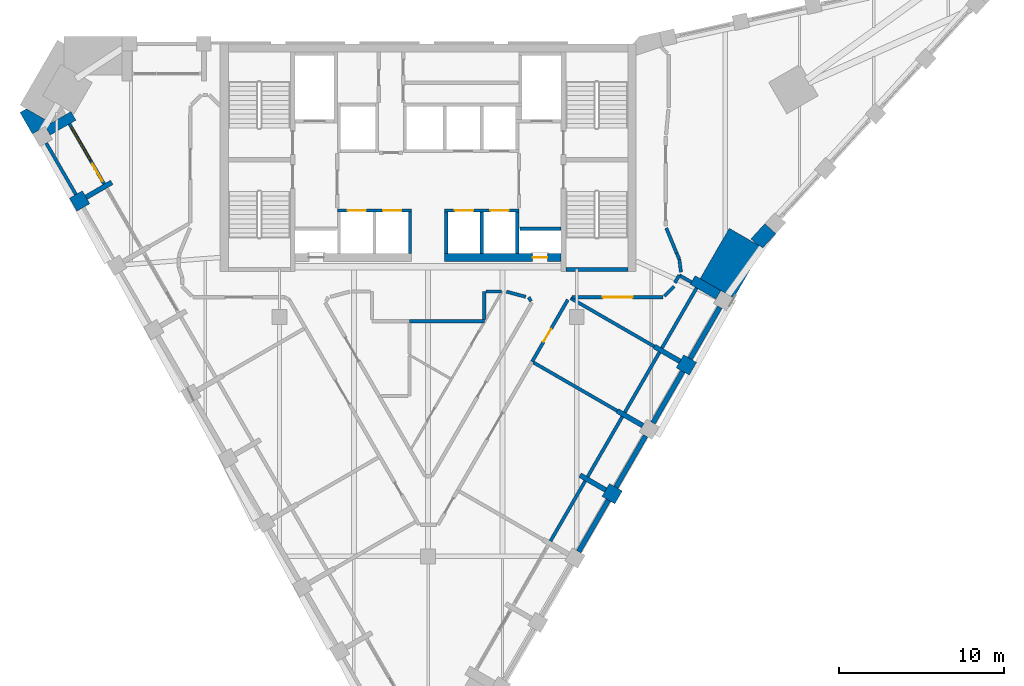
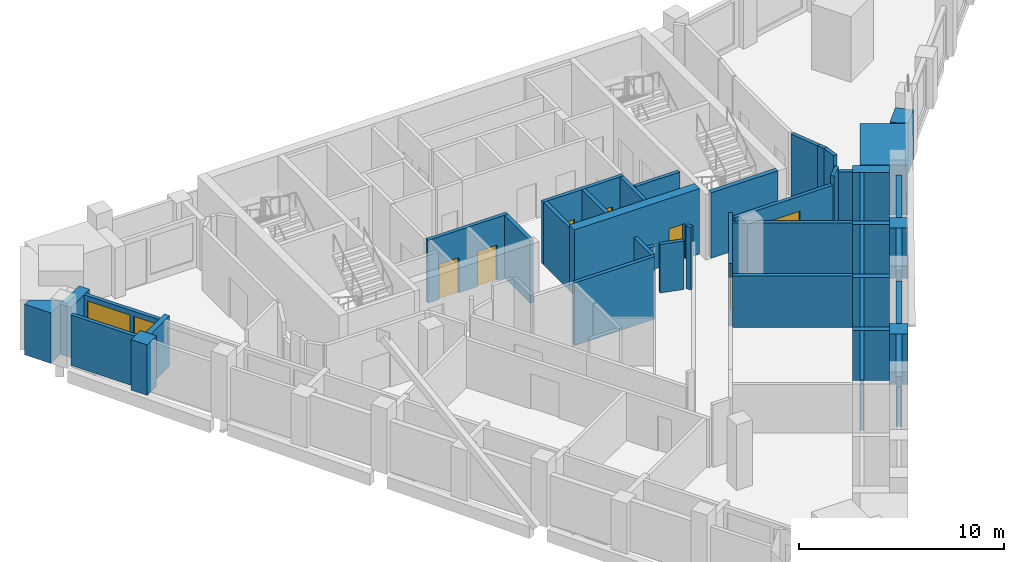
# One storey, part 4 of 8: 46 walls, 8 doors, 1 window, 9 openings.
"""IFC4 building model written with IfcOpenShell, lengths in metres."""

import ifcopenshell
import ifcopenshell.guid

model = None  # the IFC model being written
_history = None  # IfcOwnerHistory: only IFC2X3 demands one
_inside = {}  # id of a spatial element -> (the spatial element, [elements in it])
_under = {}  # id of a project, library or spatial element -> (it, [spatial elements below it])
_declared = {}  # id of a project -> (the project, [libraries it declares])
_typed = {}  # id of a type object -> (the type object, [elements of that type])
_made_of = {}  # id of a material, layer set ... -> (it, [elements and type objects made of it])


def new_model(schema):
    """Start an empty IFC model of exactly this schema.

    Asked for "IFC4X3", IfcOpenShell would pick the latest addendum, in which some entities
    have other attributes; the version numbers below select the first issue.
    IFC2X3 requires an IfcOwnerHistory on every rooted entity: one is made here for all.
    """
    global model, _history
    if schema == "IFC4X3":
        model = ifcopenshell.file(schema_version=(4, 3, 0, 0))
    else:
        model = ifcopenshell.file(schema=schema)
    _inside.clear()
    _under.clear()
    _declared.clear()
    _typed.clear()
    _made_of.clear()
    _history = None
    if model.schema == "IFC2X3":
        org = make("IfcOrganization", Name="unknown")
        user = make(
            "IfcPersonAndOrganization",
            ThePerson=make("IfcPerson", FamilyName="unknown"),
            TheOrganization=org,
        )
        app = make(
            "IfcApplication",
            ApplicationDeveloper=org,
            Version="unknown",
            ApplicationFullName="unknown",
            ApplicationIdentifier="unknown",
        )
        _history = make(
            "IfcOwnerHistory",
            OwningUser=user,
            OwningApplication=app,
            ChangeAction="ADDED",
            CreationDate=0,
        )
    return model


def make(cls, **values):
    """One entity of the class cls with the attributes given. An attribute that is None is left unset."""
    return model.create_entity(
        cls, **{name: value for name, value in values.items() if value is not None}
    )


def rooted(cls, **values):
    """An entity with a GlobalId (a new one), such as an element, a storey or a relation."""
    return make(cls, GlobalId=ifcopenshell.guid.new(), OwnerHistory=_history, **values)


def si_unit(unit_type, name, prefix=None):
    """IfcSIUnit, for example si_unit("LENGTHUNIT", "METRE", prefix="MILLI")."""
    return make("IfcSIUnit", UnitType=unit_type, Prefix=prefix, Name=name)


def assignment(units):
    """IfcUnitAssignment: the units of a project."""
    return None if units is None else make("IfcUnitAssignment", Units=units)


def point(xyz):
    """IfcCartesianPoint."""
    return None if xyz is None else make("IfcCartesianPoint", Coordinates=xyz)


def direction(xyz):
    """IfcDirection."""
    return None if xyz is None else make("IfcDirection", DirectionRatios=xyz)


def frame(location, z_axis=None, x_axis=None):
    """IfcAxis2Placement3D, a coordinate frame: its origin and axes. An axis left out is left unset."""
    return make(
        "IfcAxis2Placement3D",
        Location=point(location),
        Axis=direction(z_axis),
        RefDirection=direction(x_axis),
    )


def frame_2d(location, x_axis=None):
    """IfcAxis2Placement2D, a coordinate frame in the plane: its origin and x axis."""
    return make(
        "IfcAxis2Placement2D", Location=point(location), RefDirection=direction(x_axis)
    )


def origin():
    """The frame at (0, 0, 0) with its axes left unset."""
    return frame((0.0, 0.0, 0.0))


def place(relative_to, where):
    """IfcLocalPlacement: puts the frame where relative to a parent placement (None: the world)."""
    return make(
        "IfcLocalPlacement", PlacementRelTo=relative_to, RelativePlacement=where
    )


def context(
    kind, dimensions, precision=None, world=None, true_north=None, identifier=None
):
    """IfcGeometricRepresentationContext, for example the 3D "Model" context."""
    return make(
        "IfcGeometricRepresentationContext",
        ContextIdentifier=identifier,
        ContextType=kind,
        CoordinateSpaceDimension=dimensions,
        Precision=precision,
        WorldCoordinateSystem=world,
        TrueNorth=true_north,
    )


def subcontext(parent, identifier, kind, view, scale=None):
    """IfcGeometricRepresentationSubContext, for example "Body" below "Model"."""
    return make(
        "IfcGeometricRepresentationSubContext",
        ContextIdentifier=identifier,
        ContextType=kind,
        ParentContext=parent,
        TargetScale=scale,
        TargetView=view,
    )


def project(units=None, contexts=None):
    """IfcProject with its units and contexts."""
    return rooted(
        "IfcProject",
        Name="project",
        RepresentationContexts=contexts,
        UnitsInContext=assignment(units),
    )


def spatial(cls, under=None, at=None, **own):
    """A site, building, storey or space (cls), placed at a placement, below another one or the project."""
    s = rooted(cls, ObjectPlacement=at, **own)
    if under is not None:
        _under.setdefault(under.id(), (under, []))[1].append(s)
    return s


def polyline(points):
    """IfcPolyline through the points."""
    return make("IfcPolyline", Points=[point(p) for p in points])


def profile(cls, at=None, kind="AREA", **sizes):
    """A parametric profile (cls). Its sizes go by their IFC names, for example OverallWidth=200.0."""
    return make(cls, ProfileType=kind, Position=at, **sizes)


def rectangle(**sizes):
    """IfcRectangleProfileDef."""
    return profile("IfcRectangleProfileDef", **sizes)


def outline(outer, holes=None, kind="AREA"):
    """IfcArbitraryClosedProfileDef: a profile drawn as a closed curve; with holes, ...WithVoids."""
    if holes is None:
        return make("IfcArbitraryClosedProfileDef", ProfileType=kind, OuterCurve=outer)
    return make(
        "IfcArbitraryProfileDefWithVoids",
        ProfileType=kind,
        OuterCurve=outer,
        InnerCurves=holes,
    )


def extrude(swept, where, along, depth):
    """IfcExtrudedAreaSolid: the profile swept, set in the frame where, extruded along a direction by depth."""
    return make(
        "IfcExtrudedAreaSolid",
        SweptArea=swept,
        Position=where,
        ExtrudedDirection=direction(along),
        Depth=depth,
    )


def shape(context_of_items, identifier, shape_type, items):
    """IfcShapeRepresentation: the items that make up one representation, for example the "Body"."""
    return make(
        "IfcShapeRepresentation",
        ContextOfItems=context_of_items,
        RepresentationIdentifier=identifier,
        RepresentationType=shape_type,
        Items=items,
    )


def material(Name=None, Category=None):
    """IfcMaterial."""
    return make("IfcMaterial", Name=Name, Category=Category)


def layer(
    of_material, thickness, ventilated=None, Name=None, Category=None, Priority=None
):
    """IfcMaterialLayer: one layer of a wall or slab, of a material (None: an air gap)."""
    return make(
        "IfcMaterialLayer",
        Material=of_material,
        LayerThickness=thickness,
        IsVentilated=ventilated,
        Name=Name,
        Category=Category,
        Priority=Priority,
    )


def layer_set(layers, Name=None):
    """IfcMaterialLayerSet."""
    return make("IfcMaterialLayerSet", MaterialLayers=layers, LayerSetName=Name)


def made_of(thing, what):
    """Note that an element or type object is made of a material, layer set ...; save() writes the relation."""
    if what is not None:
        _made_of.setdefault(what.id(), (what, []))[1].append(thing)
    return thing


def type_object(cls, material=None, **own):
    """A type object (cls), such as IfcWallType, which elements share."""
    return made_of(rooted(cls, **own), material)


def element(
    cls,
    number,
    at=None,
    inside=None,
    cuts=None,
    type_object=None,
    material=None,
    context=None,
    identifier="Body",
    shape_type=None,
    held_by="IfcProductDefinitionShape",
    body=None,
    shapes=None,
    **own,
):
    """One element of the class cls, such as IfcWall. Its Tag is "e" and its number.

    at: its placement. inside: the storey or other place that contains it. cuts: it is an
    opening in that element (IfcRelVoidsElement). A single representation is given by context,
    identifier, shape_type and body (its items); several are given by shapes. held_by: the class
    of the entity that holds the representations. save() writes the other relations.
    """
    e = rooted(cls, Tag="e%d" % number, ObjectPlacement=at, **own)
    if body is not None:
        shapes = [shape(context, identifier, shape_type, body)]
    if shapes is not None:
        e.Representation = make(held_by, Representations=shapes)
    if inside is not None:
        _inside.setdefault(inside.id(), (inside, []))[1].append(e)
    if cuts is not None:
        rooted(
            "IfcRelVoidsElement", RelatingBuildingElement=cuts, RelatedOpeningElement=e
        )
    if type_object is not None:
        _typed.setdefault(type_object.id(), (type_object, []))[1].append(e)
    return made_of(e, material)


def fill(opening, filler):
    """IfcRelFillsElement: the door or window that sits in an opening."""
    return rooted(
        "IfcRelFillsElement",
        RelatingOpeningElement=opening,
        RelatedBuildingElement=filler,
    )


def aggregate(whole, parts):
    """IfcRelAggregates: a whole, such as a stair, and the parts it consists of."""
    return rooted("IfcRelAggregates", RelatingObject=whole, RelatedObjects=parts)


def save(model, path):
    """Write the relations noted so far, then the file.

    IfcRelAggregates (storeys below a building ...), IfcRelContainedInSpatialStructure (elements
    in a storey), IfcRelDefinesByType, IfcRelAssociatesMaterial and IfcRelDeclares: one each for
    every whole, place, type object, material and project.
    """
    for whole, parts in _under.values():
        aggregate(whole, parts)
    for where, things in _inside.values():
        rooted(
            "IfcRelContainedInSpatialStructure",
            RelatedElements=things,
            RelatingStructure=where,
        )
    for kind, things in _typed.values():
        rooted("IfcRelDefinesByType", RelatedObjects=things, RelatingType=kind)
    for what, things in _made_of.values():
        rooted("IfcRelAssociatesMaterial", RelatedObjects=things, RelatingMaterial=what)
    for by, libraries in _declared.values():
        rooted("IfcRelDeclares", RelatingContext=by, RelatedDefinitions=libraries)
    model.write(path)


model = new_model("IFC4")

# Units and contexts
model_context = context("Model", 3, precision=1e-05, world=origin(), true_north=direction((0.0, 1.0)))
body_context = subcontext(model_context, "Body", "Model", "MODEL_VIEW")
ifc_project = project(units=[si_unit("LENGTHUNIT", "METRE"), si_unit("AREAUNIT", "SQUARE_METRE"), si_unit("VOLUMEUNIT", "CUBIC_METRE"), si_unit("PLANEANGLEUNIT", "RADIAN"), si_unit("MASSUNIT", "GRAM", prefix="KILO")], contexts=[model_context])

# Site, building, storey
site_placement = place(None, origin())
site = spatial("IfcSite", under=ifc_project, at=site_placement, CompositionType="ELEMENT")
building_placement = place(site_placement, origin())
building = spatial("IfcBuilding", under=site, at=building_placement, Name="Calabash Gate Tower", CompositionType="ELEMENT")
storey_placement = place(building_placement, frame((0.0, 0.0, 263.800048828125)))
storey = spatial("IfcBuildingStorey", under=building, at=storey_placement, Name="L63", CompositionType="ELEMENT", Elevation=263.800048828125)

# Walls
ifc_material_1 = material(Name="Terracotta brick masonry, exposed face", Category="masonry")
ifc_layer_1 = layer(ifc_material_1, 2.35009765625)
ifc_layer_set_1 = layer_set([ifc_layer_1], Name="Brick corner mass wall 2350")
wall_type_1 = type_object("IfcWallType", Name="Brick corner mass wall 2350", PredefinedType="SOLIDWALL", material=ifc_layer_set_1)
wall_1_placement = place(storey_placement, origin())
element("IfcWall", 1, at=wall_1_placement, inside=storey, type_object=wall_type_1, Name="Brick corner pier S18 2", PredefinedType="SOLIDWALL", context=body_context, shape_type="SweptSolid", body=[
    extrude(outline(polyline([(18.236083984375, 7.878173828125), (16.47607421875, 4.829833984375), (18.51123046875, 3.65478515625), (20.271240234375, 6.703125), (18.236083984375, 7.878173828125)])), origin(), (0.0, 0.0, 1.0), 2.973388671875),
])
wall_2_placement = place(storey_placement, origin())
element("IfcWall", 2, at=wall_2_placement, inside=storey, type_object=wall_type_1, Name="Brick corner pier S18 3ca", PredefinedType="SOLIDWALL", context=body_context, shape_type="SweptSolid", body=[
    extrude(outline(polyline([(-23.974609375, 13.59375), (-23.1953125, 14.043701171875), (-23.195068359375, 14.043212890625), (-22.836669921875, 14.250244140625), (-24.33251953125, 15.11376953125), (-24.72216796875, 14.888916015625), (-23.974609375, 13.59375)])), origin(), (0.0, 0.0, 1.0), 3.0),
])
ifc_material_2 = material(Name="Terracotta brick masonry, exposed face", Category="masonry")
ifc_layer_2 = layer(ifc_material_2, 0.89990234375)
ifc_layer_set_2 = layer_set([ifc_layer_2], Name="Brick end wall 900")
wall_type_2 = type_object("IfcWallType", Name="Brick end wall 900", PredefinedType="SOLIDWALL", material=ifc_layer_set_2)
for number, where, z_axis, x_axis, name in (
    (3, (-21.33447265625, 9.921142578125, 0.0), (0.0, 0.0, 1.0), (0.50001992892, -0.866013897511, 0.0), "Brick pier S18 SW0.1"),
    (4, (10.92138671875, -8.5908203125, 0.0), (0.0, 0.0, 1.0), (0.500223362819, 0.865896406789, 0.0), "Brick pier S18 SE2.3"),
    (5, (15.2568359375, -0.181884765625, 0.0), (0.0, 0.0, 1.0), (0.865896406789, -0.500223362819, 0.0), "Brick pier S18 SE2.5"),
):
    element("IfcWall", number, at=place(storey_placement, frame(where, z_axis=z_axis, x_axis=x_axis)), inside=storey, type_object=wall_type_2, Name=name, PredefinedType="SOLIDWALL", context=body_context, shape_type="SweptSolid", body=[
        extrude(rectangle(XDim=0.89990234375, YDim=0.89990234375, at=frame_2d((0.449951171875, 0.0))), origin(), (0.0, 0.0, 1.0), 3.0),
    ])
wall_3_placement = place(storey_placement, origin())
element("IfcWall", 6, at=wall_3_placement, inside=storey, type_object=wall_type_2, Name="Brick end wall S18 1", PredefinedType="SOLIDWALL", context=body_context, shape_type="SweptSolid", body=[
    extrude(outline(polyline([(20.394775390625, 8.15625), (19.54931640625, 7.23193359375), (19.88134765625, 6.92822265625), (20.271240234375, 6.703125), (20.24658203125, 6.66064453125), (21.058837890625, 7.548828125), (20.394775390625, 8.15625)])), origin(), (0.0, 0.0, 1.0), 3.0),
])
ifc_material_3 = material(Name="Terracotta brick masonry, exposed face", Category="masonry")
ifc_layer_3 = layer(ifc_material_3, 0.300048828125)
ifc_layer_set_3 = layer_set([ifc_layer_3], Name="Brick infill panel wall 300")
wall_type_3 = type_object("IfcWallType", Name="Brick infill panel wall 300", PredefinedType="SOLIDWALL", material=ifc_layer_set_3)
for number, where, z_axis, x_axis, name in (
    (7, (9.12158203125, -11.708740234375, 0.0), (0.0, 0.0, 1.0), (0.499961193289, 0.866047807691, 0.0), "Brick panel S18 SE2.3"),
    (8, (11.37158203125, -7.8115234375, 0.0), (0.0, 0.0, 1.0), (0.499961193289, 0.866047807691, 0.0), "Brick panel S18 SE2.4"),
    (9, (13.62158203125, -3.914306640625, 0.0), (0.0, 0.0, 1.0), (0.499961193289, 0.866047807691, 0.0), "Brick panel S18 SE2.5"),
):
    element("IfcWall", number, at=place(storey_placement, frame(where, z_axis=z_axis, x_axis=x_axis)), inside=storey, type_object=wall_type_3, Name=name, PredefinedType="SOLIDWALL", context=body_context, shape_type="SweptSolid", body=[
        extrude(rectangle(XDim=3.599853515625, YDim=0.300048828125, at=frame_2d((1.7998046875, 0.0))), origin(), (0.0, 0.0, 1.0), 3.0),
    ])
wall_4_placement = place(storey_placement, frame((15.87158203125, -0.017333984375, 0.0), z_axis=(0.0, 0.0, 1.0), x_axis=(0.499990559667, 0.866030854095, 0.0)))
element("IfcWall", 10, at=wall_4_placement, inside=storey, type_object=wall_type_3, Name="Brick panel S18 SE2.6", PredefinedType="SOLIDWALL", context=body_context, shape_type="SweptSolid", body=[
    extrude(rectangle(XDim=3.599609375, YDim=0.300048828125, at=frame_2d((1.7998046875, 0.0))), origin(), (0.0, 0.0, 1.0), 3.0),
])
ifc_material_4 = material(Name="Terracotta brick masonry, exposed face", Category="masonry")
ifc_layer_4 = layer(ifc_material_4, 0.300048828125)
ifc_layer_set_4 = layer_set([ifc_layer_4], Name="Brick loggia cheek wall 300")
wall_type_4 = type_object("IfcWallType", Name="Brick loggia cheek wall 300", PredefinedType="SOLIDWALL", material=ifc_layer_set_4)
wall_5_placement = place(storey_placement, frame((-21.486083984375, 14.68359375, 0.0), z_axis=(0.0, 0.0, 1.0), x_axis=(-0.865989075817, -0.500062916607, 0.0)))
element("IfcWall", 11, at=wall_5_placement, inside=storey, type_object=wall_type_4, Name="Loggia cheek S18 SW0.0", PredefinedType="SOLIDWALL", context=body_context, shape_type="SweptSolid", body=[
    extrude(rectangle(XDim=1.800048828125, YDim=0.60009765625, at=frame_2d((0.89990234375, 0.0))), origin(), (0.0, 0.0, 1.0), 3.0),
])
for number, where, z_axis, x_axis, name in (
    (12, (-20.7197265625, 9.756591796875, 0.0), (0.0, 0.0, 1.0), (0.866047807691, 0.499961193289, 0.0), "Loggia cheek S18 SW0.1"),
    (13, (10.7568359375, -7.976318359375, 0.0), (0.0, 0.0, 1.0), (-0.865989075817, 0.500062916607, 0.0), "Loggia cheek S18 SE2.3"),
):
    element("IfcWall", number, at=place(storey_placement, frame(where, z_axis=z_axis, x_axis=x_axis)), inside=storey, type_object=wall_type_4, Name=name, PredefinedType="SOLIDWALL", context=body_context, shape_type="SweptSolid", body=[
        extrude(rectangle(XDim=1.800048828125, YDim=0.300048828125, at=frame_2d((0.89990234375, 0.0))), origin(), (0.0, 0.0, 1.0), 3.0),
    ])
wall_6_placement = place(storey_placement, frame((13.00634765625, -4.078857421875, 0.0), z_axis=(0.0, 0.0, 1.0), x_axis=(-0.866038726271, 0.499976924066, 0.0)))
element("IfcWall", 14, at=wall_6_placement, inside=storey, type_object=wall_type_4, Name="Loggia cheek S18 SE2.4", PredefinedType="SOLIDWALL", context=body_context, shape_type="SweptSolid", body=[
    extrude(rectangle(XDim=1.79931640625, YDim=0.300048828125, at=frame_2d((0.899658203125, 0.0))), origin(), (0.0, 0.0, 1.0), 3.0),
])
wall_7_placement = place(storey_placement, frame((15.2568359375, -0.181884765625, 0.0), z_axis=(0.0, 0.0, 1.0), x_axis=(-0.866047807691, 0.499961193289, 0.0)))
element("IfcWall", 15, at=wall_7_placement, inside=storey, type_object=wall_type_4, Name="Loggia cheek S18 SE2.5", PredefinedType="SOLIDWALL", context=body_context, shape_type="SweptSolid", body=[
    extrude(rectangle(XDim=1.800048828125, YDim=0.300048828125, at=frame_2d((0.89990234375, 0.0))), origin(), (0.0, 0.0, 1.0), 3.0),
])
wall_8_placement = place(storey_placement, frame((16.02294921875, 4.7451171875, 0.0), z_axis=(0.0, 0.0, 1.0), x_axis=(0.865989075817, -0.500062916607, 0.0)))
element("IfcWall", 16, at=wall_8_placement, inside=storey, type_object=wall_type_4, Name="Loggia cheek S18 SE2.6", PredefinedType="SOLIDWALL", context=body_context, shape_type="SweptSolid", body=[
    extrude(rectangle(XDim=1.800048828125, YDim=0.60009765625, at=frame_2d((0.89990234375, 0.0))), origin(), (0.0, 0.0, 1.0), 2.949951171875),
])
ifc_material_5 = material(Name="Concrete C60/75", Category="concrete")
ifc_layer_5 = layer(ifc_material_5, 0.25)
ifc_layer_set_5 = layer_set([ifc_layer_5], Name="Core wall 250 Concrete C60/75")
wall_type_5 = type_object("IfcWallType", Name="Core wall 250 Concrete C60/75", PredefinedType="SHEAR", material=ifc_layer_set_5)
wall_9_placement = place(storey_placement, frame((8.35009765625, 5.377685546875, 0.0), z_axis=(0.0, 0.0, 1.0), x_axis=(1.0, 0.0, 0.0)))
element("IfcWall", 17, at=wall_9_placement, inside=storey, type_object=wall_type_5, Name="Core wall Z5-SSE L63", PredefinedType="SHEAR", context=body_context, shape_type="SweptSolid", body=[
    extrude(rectangle(XDim=3.75, YDim=0.25, at=frame_2d((1.875, 0.0))), origin(), (0.0, 0.0, 1.0), 3.89990234375),
])

# Wall, opening, door
ifc_material_6 = material(Name="Concrete C60/75", Category="concrete")
ifc_layer_6 = layer(ifc_material_6, 0.5)
ifc_layer_set_6 = layer_set([ifc_layer_6], Name="Core wall 500 Concrete C60/75")
wall_type_6 = type_object("IfcWallType", Name="Core wall 500 Concrete C60/75", PredefinedType="SHEAR", material=ifc_layer_set_6)
wall_10_placement = place(storey_placement, frame((1.0, 6.1025390625, 0.0), z_axis=(0.0, 0.0, 1.0), x_axis=(1.0, 0.0, 0.0)))
wall_10 = element("IfcWall", 18, at=wall_10_placement, inside=storey, type_object=wall_type_6, Name="Core wall Z5-SB L63", PredefinedType="SHEAR", context=body_context, shape_type="SweptSolid", body=[
    extrude(rectangle(XDim=7.050048828125, YDim=0.5, at=frame_2d((3.52490234375, 0.0))), origin(), (0.0, 0.0, 1.0), 3.89990234375),
])
opening_1_placement = place(wall_10_placement, frame((5.324951171875, 0.0, 0.0)))
opening_1 = element("IfcOpeningElement", 19, at=opening_1_placement, cuts=wall_10, Name="Opening O10-007", PredefinedType="OPENING", context=body_context, shape_type="SweptSolid", body=[
    extrude(rectangle(XDim=0.89990234375, YDim=2.10009765625, at=frame_2d((0.449951171875, 1.050048828125))), frame((0.0, 0.260009765625, 0.0), z_axis=(0.0, -1.0, 0.0), x_axis=(1.0, 0.0, 0.0)), (0.0, 0.0, 1.0), 0.52001953125),
])
ifc_material_7 = material(Name="Steel fire door set with fire-resisting glazing", Category="steel")
door_type_1 = type_object("IfcDoorType", Name="Fire door D07 900x2100 FD90", OperationType="NOTDEFINED", PredefinedType="DOOR", material=ifc_material_7)
door_1_placement = place(opening_1_placement, origin())
door_1 = element("IfcDoor", 20, at=door_1_placement, inside=storey, type_object=door_type_1, Name="Mechanical Riser E door", OperationType="SINGLE_SWING_RIGHT", OverallHeight=2.10009765625, OverallWidth=0.89990234375, PredefinedType="DOOR", context=body_context, shape_type="SweptSolid", body=[
    extrude(rectangle(XDim=0.89990234375, YDim=2.10009765625, at=frame_2d((0.449951171875, 1.050048828125))), frame((0.0, 0.02490234375, 0.0), z_axis=(0.0, -1.0, 0.0), x_axis=(1.0, 0.0, 0.0)), (0.0, 0.0, 1.0), 0.050048828125),
])
fill(opening_1, door_1)

# Wall
ifc_material_8 = material(Name="Gypsum board on steel studs, mineral wool", Category="steel")
ifc_layer_7 = layer(ifc_material_8, 0.199951171875)
ifc_layer_set_7 = layer_set([ifc_layer_7], Name="Partition 200 gypsum board EI 60")
wall_type_7 = type_object("IfcWallType", Name="Partition 200 gypsum board EI 60", PredefinedType="PARTITIONING", material=ifc_layer_set_7)
wall_11_placement = place(storey_placement, frame((6.3818359375, -0.25390625, 0.0), z_axis=(0.0, 0.0, 1.0), x_axis=(0.866018092707, -0.500012662943, 0.0)))
element("IfcWall", 21, at=wall_11_placement, inside=storey, type_object=wall_type_7, Name="Partition", PredefinedType="PARTITIONING", context=body_context, shape_type="SweptSolid", body=[
    extrude(rectangle(XDim=5.849853515625, YDim=0.199951171875, at=frame_2d((2.9248046875, 0.0))), origin(), (0.0, 0.0, 1.0), 3.0517578125),
])

# Wall, opening, door
wall_12_placement = place(storey_placement, frame((6.29541015625, -0.2041015625, 0.0), z_axis=(0.0, 0.0, 1.0), x_axis=(0.499964815505, 0.866045716609, 0.0)))
wall_12 = element("IfcWall", 22, at=wall_12_placement, inside=storey, type_object=wall_type_7, Name="Partition", PredefinedType="PARTITIONING", context=body_context, shape_type="SweptSolid", body=[
    extrude(rectangle(XDim=4.330810546875, YDim=0.199951171875, at=frame_2d((2.16552734375, 0.0))), origin(), (0.0, 0.0, 1.0), 3.72998046875),
])
opening_2_placement = place(wall_12_placement, frame((1.39697265625, 0.0, 0.0)))
opening_2 = element("IfcOpeningElement", 23, at=opening_2_placement, cuts=wall_12, Name="Opening 62-64-004", PredefinedType="OPENING", context=body_context, shape_type="SweptSolid", body=[
    extrude(rectangle(XDim=0.89990234375, YDim=2.10009765625, at=frame_2d((0.449951171875, 1.050048828125))), frame((0.0, 0.10986328125, 0.0), z_axis=(0.0, -1.0, 0.0), x_axis=(1.0, 0.0, 0.0)), (0.0, 0.0, 1.0), 0.219970703125),
])
ifc_material_9 = material(Name="Steel fire door set with fire-resisting glazing", Category="steel")
door_type_2 = type_object("IfcDoorType", Name="SD3 Store door 900x2100", OperationType="NOTDEFINED", PredefinedType="DOOR", material=ifc_material_9)
door_2_placement = place(opening_2_placement, origin())
door_2 = element("IfcDoor", 24, at=door_2_placement, inside=storey, type_object=door_type_2, Name="Store door", OperationType="SINGLE_SWING_RIGHT", OverallHeight=2.10009765625, OverallWidth=0.89990234375, PredefinedType="DOOR", context=body_context, shape_type="SweptSolid", body=[
    extrude(rectangle(XDim=0.89990234375, YDim=2.10009765625, at=frame_2d((0.449951171875, 1.050048828125))), frame((0.0, 0.02490234375, 0.0), z_axis=(0.0, -1.0, 0.0), x_axis=(1.0, 0.0, 0.0)), (0.0, 0.0, 1.0), 0.050048828125),
])
fill(opening_2, door_2)

# Walls
wall_13_placement = place(storey_placement, frame((-1.1259765625, 2.25048828125, 0.0), z_axis=(0.0, 0.0, 1.0), x_axis=(0.999999906884, 0.000431545973, 0.0)))
element("IfcWall", 25, at=wall_13_placement, inside=storey, type_object=wall_type_7, Name="Partition", PredefinedType="PARTITIONING", context=body_context, shape_type="SweptSolid", body=[
    extrude(rectangle(XDim=4.52587890625, YDim=0.199951171875, at=frame_2d((2.262939453125, 0.0))), origin(), (0.0, 0.0, 1.0), 3.72998046875),
])
wall_14_placement = place(storey_placement, frame((6.089599609375, 3.69970703125, 0.0), z_axis=(0.0, 0.0, 1.0), x_axis=(0.499973348067, -0.866040790738, 0.0)))
element("IfcWall", 26, at=wall_14_placement, inside=storey, type_object=wall_type_7, Name="Partition", PredefinedType="PARTITIONING", context=body_context, shape_type="SweptSolid", body=[
    extrude(rectangle(XDim=0.28076171875, YDim=0.199951171875, at=frame_2d((0.140380859375, 0.0))), origin(), (0.0, 0.0, 1.0), 3.72998046875),
])
wall_15_placement = place(storey_placement, frame((8.632080078125, 3.64501953125, 0.0), z_axis=(0.0, 0.0, 1.0), x_axis=(0.865909656502, -0.500200426606, 0.0)))
element("IfcWall", 27, at=wall_15_placement, inside=storey, type_object=wall_type_7, Name="Partition", PredefinedType="PARTITIONING", context=body_context, shape_type="SweptSolid", body=[
    extrude(rectangle(XDim=5.8505859375, YDim=0.199951171875, at=frame_2d((2.92529296875, 0.0))), origin(), (0.0, 0.0, 1.0), 3.0517578125),
])

# Wall, opening, door
wall_16_placement = place(storey_placement, frame((8.72607421875, 3.699462890625, 0.0), z_axis=(0.0, 0.0, 1.0), x_axis=(1.0, 0.0, 0.0)))
wall_16 = element("IfcWall", 28, at=wall_16_placement, inside=storey, type_object=wall_type_7, Name="Partition", PredefinedType="PARTITIONING", context=body_context, shape_type="SweptSolid", body=[
    extrude(rectangle(XDim=5.513916015625, YDim=0.199951171875, at=frame_2d((2.7568359375, 0.0))), origin(), (0.0, 0.0, 1.0), 3.2822265625),
])
opening_3_placement = place(wall_16_placement, frame((1.85693359375, 0.0, 0.0)))
opening_3 = element("IfcOpeningElement", 29, at=opening_3_placement, cuts=wall_16, Name="Opening 62-64-010", PredefinedType="OPENING", context=body_context, shape_type="SweptSolid", body=[
    extrude(rectangle(XDim=1.800048828125, YDim=2.39990234375, at=frame_2d((0.89990234375, 1.199951171875))), frame((0.0, 0.10986328125, 0.0), z_axis=(0.0, -1.0, 0.0), x_axis=(1.0, 0.0, 0.0)), (0.0, 0.0, 1.0), 0.219970703125),
])
ifc_material_10 = material(Name="Steel fire door set with fire-resisting glazing", Category="steel")
door_type_3 = type_object("IfcDoorType", Name="OD5 Open office double door 1800x2400", OperationType="NOTDEFINED", PredefinedType="DOOR", material=ifc_material_10)
door_3_placement = place(opening_3_placement, origin())
door_3 = element("IfcDoor", 30, at=door_3_placement, inside=storey, type_object=door_type_3, Name="Open office double door", OperationType="DOUBLE_DOOR_SINGLE_SWING", OverallHeight=2.39990234375, OverallWidth=1.800048828125, PredefinedType="DOOR", context=body_context, shape_type="SweptSolid", body=[
    extrude(rectangle(XDim=1.800048828125, YDim=2.39990234375, at=frame_2d((0.89990234375, 1.199951171875))), frame((0.0, 0.02490234375, 0.0), z_axis=(0.0, -1.0, 0.0), x_axis=(1.0, 0.0, 0.0)), (0.0, 0.0, 1.0), 0.050048828125),
])
fill(opening_3, door_3)

# Walls
wall_17_placement = place(storey_placement, frame((4.7421875, 4.041015625, 0.0), z_axis=(0.0, 0.0, 1.0), x_axis=(0.965129144807, -0.261774203931, 0.0)))
element("IfcWall", 31, at=wall_17_placement, inside=storey, type_object=wall_type_7, Name="Partition", PredefinedType="PARTITIONING", context=body_context, shape_type="SweptSolid", body=[
    extrude(rectangle(XDim=1.21533203125, YDim=0.199951171875, at=frame_2d((0.607666015625, 0.0))), origin(), (0.0, 0.0, 1.0), 2.884033203125),
])
wall_18_placement = place(storey_placement, frame((3.400146484375, 2.352294921875, 0.0), z_axis=(0.0, 0.0, 1.0), x_axis=(0.001150085496, 0.999999338651, 0.0)))
element("IfcWall", 32, at=wall_18_placement, inside=storey, type_object=wall_type_7, Name="Partition", PredefinedType="PARTITIONING", context=body_context, shape_type="SweptSolid", body=[
    extrude(rectangle(XDim=1.6982421875, YDim=0.199951171875, at=frame_2d((0.84912109375, 0.0))), origin(), (0.0, 0.0, 1.0), 3.72998046875),
])
wall_19_placement = place(storey_placement, frame((3.501953125, 4.050537109375, 0.0), z_axis=(0.0, 0.0, 1.0), x_axis=(1.0, 0.0, 0.0)))
element("IfcWall", 33, at=wall_19_placement, inside=storey, type_object=wall_type_7, Name="Partition", PredefinedType="PARTITIONING", context=body_context, shape_type="SweptSolid", body=[
    extrude(rectangle(XDim=0.927001953125, YDim=0.199951171875, at=frame_2d((0.46337890625, 0.0))), origin(), (0.0, 0.0, 1.0), 2.884033203125),
])
wall_20_placement = place(storey_placement, frame((14.310791015625, 3.770263671875, 0.0), z_axis=(0.0, 0.0, 1.0), x_axis=(0.707253195258, 0.706960336792, 0.0)))
element("IfcWall", 34, at=wall_20_placement, inside=storey, type_object=wall_type_7, Name="Partition", PredefinedType="PARTITIONING", context=body_context, shape_type="SweptSolid", body=[
    extrude(rectangle(XDim=0.833740234375, YDim=0.199951171875, at=frame_2d((0.4169921875, 0.0))), origin(), (0.0, 0.0, 1.0), 3.72998046875),
])
wall_21_placement = place(storey_placement, frame((14.94384765625, 4.5751953125, 0.0), z_axis=(0.0, 0.0, 1.0), x_axis=(0.500209224752, 0.865904574115, 0.0)))
element("IfcWall", 35, at=wall_21_placement, inside=storey, type_object=wall_type_7, Name="Partition", PredefinedType="PARTITIONING", context=body_context, shape_type="SweptSolid", body=[
    extrude(rectangle(XDim=0.535400390625, YDim=0.199951171875, at=frame_2d((0.267578125, 0.0))), origin(), (0.0, 0.0, 1.0), 2.949951171875),
])
wall_22_placement = place(storey_placement, frame((15.211181640625, 5.0380859375, 0.0), z_axis=(0.0, 0.0, 1.0), x_axis=(0.867126672162, -0.498087677447, 0.0)))
element("IfcWall", 36, at=wall_22_placement, inside=storey, type_object=wall_type_7, Name="Partition", PredefinedType="PARTITIONING", context=body_context, shape_type="SweptSolid", body=[
    extrude(rectangle(XDim=0.849365234375, YDim=0.199951171875, at=frame_2d((0.4248046875, 0.0))), origin(), (0.0, 0.0, 1.0), 2.949951171875),
])
wall_23_placement = place(storey_placement, frame((15.210693359375, 6.015869140625, 0.0), z_axis=(0.0, 0.0, 1.0), x_axis=(0.130572336197, -0.991438785312, 0.0)))
element("IfcWall", 37, at=wall_23_placement, inside=storey, type_object=wall_type_7, Name="Partition", PredefinedType="PARTITIONING", context=body_context, shape_type="SweptSolid", body=[
    extrude(rectangle(XDim=0.803955078125, YDim=0.199951171875, at=frame_2d((0.40185546875, 0.0))), origin(), (0.0, 0.0, 1.0), 3.72998046875),
])
wall_24_placement = place(storey_placement, frame((15.05078125, 6.37353515625, 0.0), z_axis=(0.0, 0.0, 1.0), x_axis=(0.408161090952, -0.912909920985, 0.0)))
element("IfcWall", 38, at=wall_24_placement, inside=storey, type_object=wall_type_7, Name="Partition", PredefinedType="PARTITIONING", context=body_context, shape_type="SweptSolid", body=[
    extrude(rectangle(XDim=0.391845703125, YDim=0.199951171875, at=frame_2d((0.19580078125, 0.0))), origin(), (0.0, 0.0, 1.0), 3.72998046875),
])
wall_25_placement = place(storey_placement, frame((14.425048828125, 7.892822265625, 0.0), z_axis=(0.0, 0.0, 1.0), x_axis=(0.380824536343, -0.924647323318, 0.0)))
element("IfcWall", 39, at=wall_25_placement, inside=storey, type_object=wall_type_7, Name="Partition", PredefinedType="PARTITIONING", context=body_context, shape_type="SweptSolid", body=[
    extrude(rectangle(XDim=1.64306640625, YDim=0.199951171875, at=frame_2d((0.821533203125, 0.0))), origin(), (0.0, 0.0, 1.0), 3.72998046875),
])
ifc_material_11 = material(Name="Concrete C40/50", Category="concrete")
ifc_layer_8 = layer(ifc_material_11, 0.199951171875)
ifc_layer_set_8 = layer_set([ifc_layer_8], Name="Shaft wall 200 Concrete C40/50")
wall_type_8 = type_object("IfcWallType", Name="Shaft wall 200 Concrete C40/50", PredefinedType="SOLIDWALL", material=ifc_layer_set_8)
for number, where, z_axis, x_axis, name in (
    (40, (-1.10009765625, 6.3525390625, 0.0), (0.0, 0.0, 1.0), (0.0, 1.0, 0.0), "Shaft wall"),
    (41, (1.10009765625, 6.3525390625, 0.0), (0.0, 0.0, 1.0), (0.0, 1.0, 0.0), "Shaft wall"),
    (42, (3.25, 6.3525390625, 0.0), (0.0, 0.0, 1.0), (0.0, 1.0, 0.0), "Shaft wall"),
    (43, (5.39990234375, 6.3525390625, 0.0), (0.0, 0.0, 1.0), (0.0, 1.0, 0.0), "Shaft wall"),
    (44, (5.550048828125, 7.8525390625, 0.0), (0.0, 0.0, 1.0), (1.0, 0.0, 0.0), "Shaft wall"),
):
    element("IfcWall", number, at=place(storey_placement, frame(where, z_axis=z_axis, x_axis=x_axis)), inside=storey, type_object=wall_type_8, Name=name, PredefinedType="SOLIDWALL", context=body_context, shape_type="SweptSolid", body=[
        extrude(rectangle(XDim=2.5, YDim=0.199951171875, at=frame_2d((1.25, 0.0))), origin(), (0.0, 0.0, 1.0), 3.72998046875),
    ])

# Wall, openings, doors
wall_26_placement = place(storey_placement, frame((-5.5, 8.95263671875, 0.0), z_axis=(0.0, 0.0, 1.0), x_axis=(1.0, 0.0, 0.0)))
wall_26 = element("IfcWall", 45, at=wall_26_placement, inside=storey, type_object=wall_type_8, Name="Shaft wall", PredefinedType="SOLIDWALL", context=body_context, shape_type="SweptSolid", body=[
    extrude(rectangle(XDim=4.5, YDim=0.199951171875, at=frame_2d((2.25, 0.0))), origin(), (0.0, 0.0, 1.0), 3.72998046875),
])
opening_4_placement = place(wall_26_placement, frame((0.625, 0.0, 0.0)))
opening_4 = element("IfcOpeningElement", 46, at=opening_4_placement, cuts=wall_26, Name="Opening LD-HR1", PredefinedType="OPENING", context=body_context, shape_type="SweptSolid", body=[
    extrude(rectangle(XDim=1.10009765625, YDim=2.10009765625, at=frame_2d((0.550048828125, 1.050048828125))), frame((0.0, 0.10986328125, 0.0), z_axis=(0.0, -1.0, 0.0), x_axis=(1.0, 0.0, 0.0)), (0.0, 0.0, 1.0), 0.219970703125),
])
opening_5_placement = place(wall_26_placement, frame((2.77490234375, 0.0, 0.0)))
opening_5 = element("IfcOpeningElement", 47, at=opening_5_placement, cuts=wall_26, Name="Opening LD-HR2", PredefinedType="OPENING", context=body_context, shape_type="SweptSolid", body=[
    extrude(rectangle(XDim=1.10009765625, YDim=2.10009765625, at=frame_2d((0.550048828125, 1.050048828125))), frame((0.0, 0.10986328125, 0.0), z_axis=(0.0, -1.0, 0.0), x_axis=(1.0, 0.0, 0.0)), (0.0, 0.0, 1.0), 0.219970703125),
])
ifc_material_12 = material(Name="Stainless steel sliding door leaves", Category="steel")
door_type_4 = type_object("IfcDoorType", Name="Lift landing door LS1 1100x2100 FD90", OperationType="DOUBLE_DOOR_SLIDING", PredefinedType="DOOR", material=ifc_material_12)
door_4_placement = place(opening_4_placement, origin())
door_4 = element("IfcDoor", 48, at=door_4_placement, inside=storey, type_object=door_type_4, Name="Lift landing door HR1", OperationType="DOUBLE_DOOR_SLIDING", OverallHeight=2.10009765625, OverallWidth=1.10009765625, PredefinedType="DOOR", context=body_context, shape_type="SweptSolid", body=[
    extrude(rectangle(XDim=1.10009765625, YDim=2.10009765625, at=frame_2d((0.550048828125, 1.050048828125))), frame((0.0, 0.02490234375, 0.0), z_axis=(0.0, -1.0, 0.0), x_axis=(1.0, 0.0, 0.0)), (0.0, 0.0, 1.0), 0.050048828125),
])
fill(opening_4, door_4)
door_5_placement = place(opening_5_placement, origin())
door_5 = element("IfcDoor", 49, at=door_5_placement, inside=storey, type_object=door_type_4, Name="Lift landing door HR2", OperationType="DOUBLE_DOOR_SLIDING", OverallHeight=2.10009765625, OverallWidth=1.10009765625, PredefinedType="DOOR", context=body_context, shape_type="SweptSolid", body=[
    extrude(rectangle(XDim=1.10009765625, YDim=2.10009765625, at=frame_2d((0.550048828125, 1.050048828125))), frame((0.0, 0.02490234375, 0.0), z_axis=(0.0, -1.0, 0.0), x_axis=(1.0, 0.0, 0.0)), (0.0, 0.0, 1.0), 0.050048828125),
])
fill(opening_5, door_5)

wall_27_placement = place(storey_placement, frame((1.0, 8.95263671875, 0.0), z_axis=(0.0, 0.0, 1.0), x_axis=(1.0, 0.0, 0.0)))
wall_27 = element("IfcWall", 50, at=wall_27_placement, inside=storey, type_object=wall_type_8, Name="Shaft wall", PredefinedType="SOLIDWALL", context=body_context, shape_type="SweptSolid", body=[
    extrude(rectangle(XDim=4.5, YDim=0.199951171875, at=frame_2d((2.25, 0.0))), origin(), (0.0, 0.0, 1.0), 3.72998046875),
])
opening_6_placement = place(wall_27_placement, frame((0.625, 0.0, 0.0)))
opening_6 = element("IfcOpeningElement", 51, at=opening_6_placement, cuts=wall_27, Name="Opening LD-HR3", PredefinedType="OPENING", context=body_context, shape_type="SweptSolid", body=[
    extrude(rectangle(XDim=1.10009765625, YDim=2.10009765625, at=frame_2d((0.550048828125, 1.050048828125))), frame((0.0, 0.10986328125, 0.0), z_axis=(0.0, -1.0, 0.0), x_axis=(1.0, 0.0, 0.0)), (0.0, 0.0, 1.0), 0.219970703125),
])
opening_7_placement = place(wall_27_placement, frame((2.77490234375, 0.0, 0.0)))
opening_7 = element("IfcOpeningElement", 52, at=opening_7_placement, cuts=wall_27, Name="Opening LD-HR4", PredefinedType="OPENING", context=body_context, shape_type="SweptSolid", body=[
    extrude(rectangle(XDim=1.10009765625, YDim=2.10009765625, at=frame_2d((0.550048828125, 1.050048828125))), frame((0.0, 0.10986328125, 0.0), z_axis=(0.0, -1.0, 0.0), x_axis=(1.0, 0.0, 0.0)), (0.0, 0.0, 1.0), 0.219970703125),
])
door_6_placement = place(opening_6_placement, origin())
door_6 = element("IfcDoor", 53, at=door_6_placement, inside=storey, type_object=door_type_4, Name="Lift landing door HR3", OperationType="DOUBLE_DOOR_SLIDING", OverallHeight=2.10009765625, OverallWidth=1.10009765625, PredefinedType="DOOR", context=body_context, shape_type="SweptSolid", body=[
    extrude(rectangle(XDim=1.10009765625, YDim=2.10009765625, at=frame_2d((0.550048828125, 1.050048828125))), frame((0.0, 0.02490234375, 0.0), z_axis=(0.0, -1.0, 0.0), x_axis=(1.0, 0.0, 0.0)), (0.0, 0.0, 1.0), 0.050048828125),
])
fill(opening_6, door_6)
door_7_placement = place(opening_7_placement, origin())
door_7 = element("IfcDoor", 54, at=door_7_placement, inside=storey, type_object=door_type_4, Name="Lift landing door HR4", OperationType="DOUBLE_DOOR_SLIDING", OverallHeight=2.10009765625, OverallWidth=1.10009765625, PredefinedType="DOOR", context=body_context, shape_type="SweptSolid", body=[
    extrude(rectangle(XDim=1.10009765625, YDim=2.10009765625, at=frame_2d((0.550048828125, 1.050048828125))), frame((0.0, 0.02490234375, 0.0), z_axis=(0.0, -1.0, 0.0), x_axis=(1.0, 0.0, 0.0)), (0.0, 0.0, 1.0), 0.050048828125),
])
fill(opening_7, door_7)

# Wall
ifc_material_13 = material(Name="Terracotta brick masonry, perforated", Category="masonry")
ifc_layer_9 = layer(ifc_material_13, 0.199951171875)
ifc_layer_set_9 = layer_set([ifc_layer_9], Name="Terracotta jaali screen B")
wall_type_9 = type_object("IfcWallType", Name="Terracotta jaali screen B", PredefinedType="SOLIDWALL", material=ifc_layer_set_9)
wall_28_placement = place(storey_placement, frame((-23.134521484375, 13.038818359375, 0.0), z_axis=(0.0, 0.0, 1.0), x_axis=(0.500012057535, -0.866018442252, 0.0)))
element("IfcWall", 55, at=wall_28_placement, inside=storey, type_object=wall_type_9, Name="SCREEN B S18 SW0.1", PredefinedType="SOLIDWALL", context=body_context, shape_type="SweptSolid", body=[
    extrude(rectangle(XDim=3.60009765625, YDim=0.199951171875, at=frame_2d((1.800048828125, 0.0))), origin(), (0.0, 0.0, 1.0), 3.0),
])

# Wall, openings, door, window
ifc_material_14 = material(Name="Aluminium framed window wall with insulated spandrel", Category="aluminium")
ifc_layer_10 = layer(ifc_material_14, 0.199951171875)
ifc_layer_set_10 = layer_set([ifc_layer_10], Name="Window wall 200")
wall_type_10 = type_object("IfcWallType", Name="Window wall 200", PredefinedType="ELEMENTEDWALL", material=ifc_layer_set_10)
wall_29_placement = place(storey_placement, frame((-21.7255859375, 14.19873046875, 0.0), z_axis=(0.0, 0.0, 1.0), x_axis=(0.499958946799, -0.866049104564, 0.0)))
wall_29 = element("IfcWall", 56, at=wall_29_placement, inside=storey, type_object=wall_type_10, Name="Window wall S18 SW0.1", PredefinedType="ELEMENTEDWALL", context=body_context, shape_type="SweptSolid", body=[
    extrude(rectangle(XDim=4.199951171875, YDim=0.199951171875, at=frame_2d((2.10009765625, 0.0))), origin(), (0.0, 0.0, 1.0), 3.0),
])
opening_8_placement = place(wall_29_placement, frame((0.199951171875, 0.0, 0.449951171875)))
opening_8 = element("IfcOpeningElement", 57, at=opening_8_placement, cuts=wall_29, Name="Opening OW1", PredefinedType="OPENING", context=body_context, shape_type="SweptSolid", body=[
    extrude(rectangle(XDim=2.39990234375, YDim=2.25, at=frame_2d((1.199951171875, 1.125))), frame((0.0, 0.10986328125, 0.0), z_axis=(0.0, -1.0, 0.0), x_axis=(1.0, 0.0, 0.0)), (0.0, 0.0, 1.0), 0.219970703125),
])
opening_9_placement = place(wall_29_placement, frame((2.800048828125, 0.0, 0.0)))
opening_9 = element("IfcOpeningElement", 58, at=opening_9_placement, cuts=wall_29, Name="Opening O10-015", PredefinedType="OPENING", context=body_context, shape_type="SweptSolid", body=[
    extrude(rectangle(XDim=1.199951171875, YDim=2.699951171875, at=frame_2d((0.60009765625, 1.35009765625))), frame((0.0, 0.10986328125, 0.0), z_axis=(0.0, -1.0, 0.0), x_axis=(1.0, 0.0, 0.0)), (0.0, 0.0, 1.0), 0.219970703125),
])
ifc_material_15 = material(Name="Anodised aluminium frame, bronze finish, impact-rated laminated clear glazing", Category="aluminium")
door_type_5 = type_object("IfcDoorType", Name="Loggia door DO1 1200x2700", OperationType="SLIDING_TO_LEFT", PredefinedType="DOOR", material=ifc_material_15)
door_8_placement = place(opening_9_placement, origin())
door_8 = element("IfcDoor", 59, at=door_8_placement, inside=storey, type_object=door_type_5, Name="Loggia door S18 SW0.1", OperationType="SINGLE_SWING_LEFT", OverallHeight=2.699951171875, OverallWidth=1.199951171875, PredefinedType="DOOR", context=body_context, shape_type="SweptSolid", body=[
    extrude(rectangle(XDim=1.199951171875, YDim=2.699951171875, at=frame_2d((0.60009765625, 1.35009765625))), frame((0.0, 0.02490234375, 0.0), z_axis=(0.0, -1.0, 0.0), x_axis=(1.0, 0.0, 0.0)), (0.0, 0.0, 1.0), 0.050048828125),
])
fill(opening_9, door_8)
ifc_material_16 = material(Name="Anodised aluminium frame, bronze finish, impact-rated laminated clear glazing", Category="aluminium")
window_type = type_object("IfcWindowType", Name="Window OW1 2400x2250", PartitioningType="DOUBLE_PANEL_VERTICAL", PredefinedType="WINDOW", material=ifc_material_16)
window_placement = place(opening_8_placement, origin())
window = element("IfcWindow", 60, at=window_placement, inside=storey, type_object=window_type, Name="Window OW1 S18 SW0.1", OverallHeight=2.25, OverallWidth=2.39990234375, PartitioningType="SINGLE_PANEL", PredefinedType="WINDOW", context=body_context, shape_type="SweptSolid", body=[
    extrude(rectangle(XDim=2.39990234375, YDim=2.25, at=frame_2d((1.199951171875, 1.125))), frame((0.0, 0.030029296875, 0.0), z_axis=(0.0, -1.0, 0.0), x_axis=(1.0, 0.0, 0.0)), (0.0, 0.0, 1.0), 0.06005859375),
])
fill(opening_8, window)

# Walls
wall_30_placement = place(storey_placement, frame((7.41259765625, -11.068359375, 0.0), z_axis=(0.0, 0.0, 1.0), x_axis=(0.500027713859, 0.866009402589, 0.0)))
element("IfcWall", 61, at=wall_30_placement, inside=storey, type_object=wall_type_10, Name="Window wall S18 SE2.3", PredefinedType="ELEMENTEDWALL", context=body_context, shape_type="SweptSolid", body=[
    extrude(rectangle(XDim=4.199951171875, YDim=0.199951171875, at=frame_2d((2.10009765625, 0.0))), origin(), (0.0, 0.0, 1.0), 3.0),
])
wall_31_placement = place(storey_placement, frame((9.66259765625, -7.17138671875, 0.0), z_axis=(0.0, 0.0, 1.0), x_axis=(0.500002543286, 0.866023935413, 0.0)))
element("IfcWall", 62, at=wall_31_placement, inside=storey, type_object=wall_type_10, Name="Window wall S18 SE2.4", PredefinedType="ELEMENTEDWALL", context=body_context, shape_type="SweptSolid", body=[
    extrude(rectangle(XDim=4.2001953125, YDim=0.199951171875, at=frame_2d((2.10009765625, 0.0))), origin(), (0.0, 0.0, 1.0), 3.0),
])
wall_32_placement = place(storey_placement, frame((11.91259765625, -3.274169921875, 0.0), z_axis=(0.0, 0.0, 1.0), x_axis=(0.500027713859, 0.866009402589, 0.0)))
element("IfcWall", 63, at=wall_32_placement, inside=storey, type_object=wall_type_10, Name="Window wall S18 SE2.5", PredefinedType="ELEMENTEDWALL", context=body_context, shape_type="SweptSolid", body=[
    extrude(rectangle(XDim=4.199951171875, YDim=0.199951171875, at=frame_2d((2.10009765625, 0.0))), origin(), (0.0, 0.0, 1.0), 3.0),
])
wall_33_placement = place(storey_placement, frame((14.16259765625, 0.622802734375, 0.0), z_axis=(0.0, 0.0, 1.0), x_axis=(0.500002543286, 0.866023935413, 0.0)))
element("IfcWall", 64, at=wall_33_placement, inside=storey, type_object=wall_type_10, Name="Window wall S18 SE2.6", PredefinedType="ELEMENTEDWALL", context=body_context, shape_type="SweptSolid", body=[
    extrude(rectangle(XDim=4.2001953125, YDim=0.199951171875, at=frame_2d((2.10009765625, 0.0))), origin(), (0.0, 0.0, 1.0), 2.949951171875),
])

save(model, "model.ifc")
